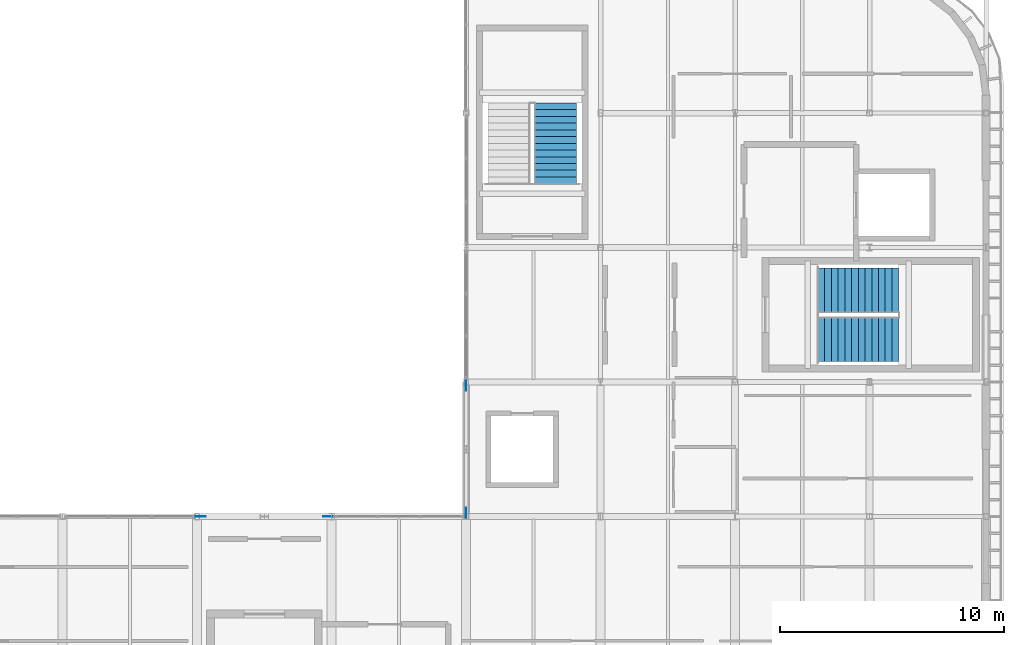
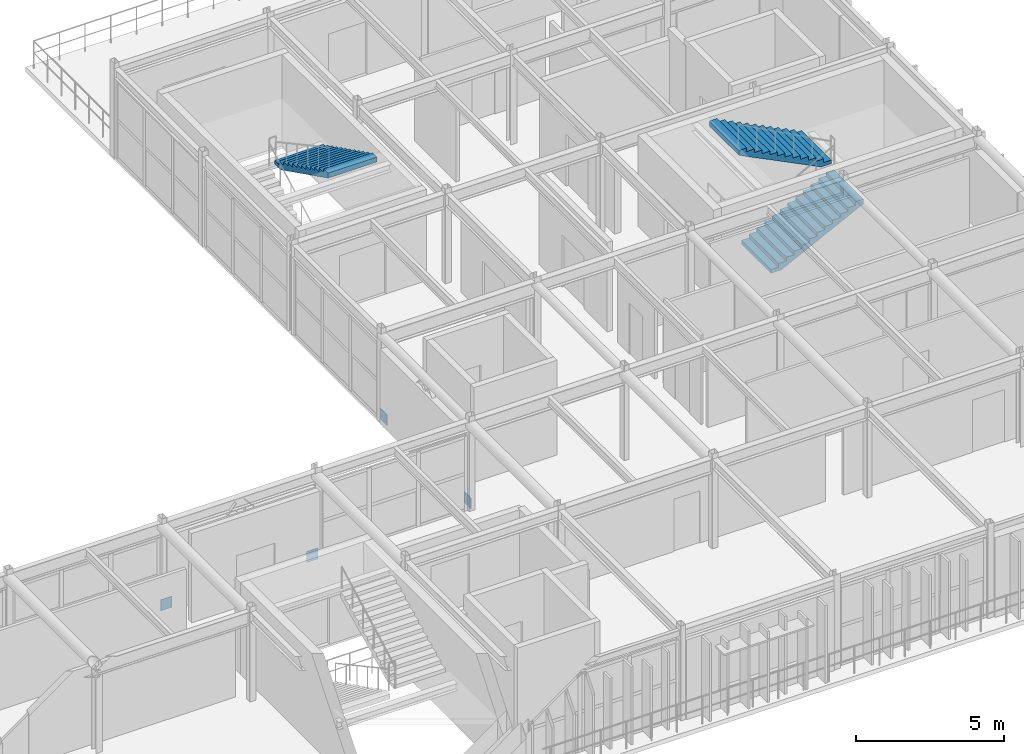
# One storey, part 20 of 27: 4 discrete accessories, 3 stair flights, 2 elements without a shape of their own.
"""IFC4 building model written with IfcOpenShell, lengths in metres."""

from ifc_helpers import new_model, si_unit, direction, frame, origin, origin_2d, place, context, subcontext, project, spatial, polyline, rectangle, outline, extrude, material, layer, layer_set, type_object, element, aggregate, save


model = new_model("IFC4")

# Units and contexts
model_context = context("Model", 3, precision=1e-05, world=origin(), true_north=direction((0.0, 1.0)))
body_context = subcontext(model_context, "Body", "Model", "MODEL_VIEW")
ifc_project = project(units=[si_unit("LENGTHUNIT", "METRE"), si_unit("AREAUNIT", "SQUARE_METRE"), si_unit("VOLUMEUNIT", "CUBIC_METRE"), si_unit("PLANEANGLEUNIT", "RADIAN"), si_unit("MASSUNIT", "GRAM", prefix="KILO")], contexts=[model_context])

# Site, building, storey
site_placement = place(None, origin())
site = spatial("IfcSite", under=ifc_project, at=site_placement, CompositionType="ELEMENT")
building_placement = place(site_placement, origin())
building = spatial("IfcBuilding", under=site, at=building_placement, Name="Varnakota Square Police Headquarters", CompositionType="ELEMENT")
storey_placement = place(building_placement, frame((0.0, 0.0, 26.10009765625)))
storey = spatial("IfcBuildingStorey", under=building, at=storey_placement, Name="L06", CompositionType="ELEMENT", Elevation=26.10009765625)

# Stair, stair flight
ifc_material_1 = material(Name="Concrete M40", Category="concrete")
stair_type_1 = type_object("IfcStairType", Name="STR-DOG-1900", PredefinedType="USERDEFINED", material=ifc_material_1)
stair_1_placement = place(storey_placement, origin())
stair_1 = element("IfcStair", 1, at=stair_1_placement, inside=storey, type_object=stair_type_1, Name="Protected exit stair ST3 (L06)", ObjectType="TWO_RETURN_STAIR", PredefinedType="USERDEFINED")
stair_flight_type_1 = type_object("IfcStairFlightType", Name="SFL-DOG-1900", PredefinedType="STRAIGHT", material=ifc_material_1)
stair_flight_1_placement = place(storey_placement, frame((141.97998046875, 33.45068359375, 1.949951171875), z_axis=(0.0, 0.0, 1.0), x_axis=(0.0, -1.0, 0.0)))
stair_flight_1 = element("IfcStairFlight", 2, at=stair_flight_1_placement, type_object=stair_flight_type_1, Name="ST3-L06 flight 2", NumberOfRisers=13, NumberOfTreads=12, PredefinedType="STRAIGHT", RiserHeight=0.15, TreadLength=0.3, context=body_context, shape_type="SweptSolid", body=[
    extrude(outline(polyline([(0.0, 0.0), (0.0, 0.14990234375), (0.300048828125, 0.14990234375), (0.300048828125, 0.300048828125), (0.60009765625, 0.300048828125), (0.60009765625, 0.449951171875), (0.900146484375, 0.449951171875), (0.900146484375, 0.60009765625), (1.2001953125, 0.60009765625), (1.2001953125, 0.75), (1.500244140625, 0.75), (1.500244140625, 0.89990234375), (1.80029296875, 0.89990234375), (1.80029296875, 1.050048828125), (2.100341796875, 1.050048828125), (2.100341796875, 1.199951171875), (2.400390625, 1.199951171875), (2.400390625, 1.35009765625), (2.700439453125, 1.35009765625), (2.700439453125, 1.5), (3.00048828125, 1.5), (3.00048828125, 1.64990234375), (3.300537109375, 1.64990234375), (3.300537109375, 1.800048828125), (3.6005859375, 1.800048828125), (3.6005859375, 1.949951171875), (3.6005859375, 1.598876953125), (0.40234375, 0.0), (0.0, 0.0)])), frame((0.0, 0.949951171875, 0.0), z_axis=(0.0, -1.0, 0.0), x_axis=(1.0, 0.0, 0.0)), (0.0, 0.0, 1.0), 1.89990234375),
])
aggregate(stair_1, [stair_flight_1])

# Stair, stair flights
stair_type_2 = type_object("IfcStairType", Name="STR-DOG-2000", PredefinedType="USERDEFINED", material=ifc_material_1)
stair_2_placement = place(storey_placement, origin())
stair_2 = element("IfcStair", 3, at=stair_2_placement, inside=storey, type_object=stair_type_2, Name="Protected exit stair ST2 (L06)", ObjectType="TWO_RETURN_STAIR", PredefinedType="USERDEFINED")
stair_flight_type_2 = type_object("IfcStairFlightType", Name="SFL-DOG-2000", PredefinedType="STRAIGHT", material=ifc_material_1)
stair_flight_2_placement = place(storey_placement, frame((153.699951171875, 22.919921875, 0.0), z_axis=(0.0, 0.0, 1.0), x_axis=(1.0, 0.0, 0.0)))
stair_flight_2 = element("IfcStairFlight", 4, at=stair_flight_2_placement, type_object=stair_flight_type_2, Name="ST2-L06 flight 1", NumberOfRisers=13, NumberOfTreads=12, PredefinedType="STRAIGHT", RiserHeight=0.15, TreadLength=0.3, context=body_context, shape_type="SweptSolid", body=[
    extrude(outline(polyline([(0.0, 0.0), (0.0, 0.14990234375), (0.300048828125, 0.14990234375), (0.300048828125, 0.300048828125), (0.60009765625, 0.300048828125), (0.60009765625, 0.449951171875), (0.900146484375, 0.449951171875), (0.900146484375, 0.60009765625), (1.2001953125, 0.60009765625), (1.2001953125, 0.75), (1.500244140625, 0.75), (1.500244140625, 0.89990234375), (1.80029296875, 0.89990234375), (1.80029296875, 1.050048828125), (2.100341796875, 1.050048828125), (2.100341796875, 1.199951171875), (2.400390625, 1.199951171875), (2.400390625, 1.35009765625), (2.700439453125, 1.35009765625), (2.700439453125, 1.5), (3.00048828125, 1.5), (3.00048828125, 1.64990234375), (3.300537109375, 1.64990234375), (3.300537109375, 1.800048828125), (3.6005859375, 1.800048828125), (3.6005859375, 1.949951171875), (3.6005859375, 1.598876953125), (0.40234375, 0.0), (0.0, 0.0)])), frame((0.0, 1.0, 0.0), z_axis=(0.0, -1.0, 0.0), x_axis=(1.0, 0.0, 0.0)), (0.0, 0.0, 1.0), 2.0),
])
stair_flight_3_placement = place(storey_placement, frame((157.300537109375, 25.080078125, 1.949951171875), z_axis=(0.0, 0.0, 1.0), x_axis=(-1.0, 0.0, 0.0)))
stair_flight_3 = element("IfcStairFlight", 5, at=stair_flight_3_placement, type_object=stair_flight_type_2, Name="ST2-L06 flight 2", NumberOfRisers=13, NumberOfTreads=12, PredefinedType="STRAIGHT", RiserHeight=0.15, TreadLength=0.3, context=body_context, shape_type="SweptSolid", body=[
    extrude(outline(polyline([(0.0, 0.0), (0.0, 0.14990234375), (0.300048828125, 0.14990234375), (0.300048828125, 0.300048828125), (0.60009765625, 0.300048828125), (0.60009765625, 0.449951171875), (0.900146484375, 0.449951171875), (0.900146484375, 0.60009765625), (1.2001953125, 0.60009765625), (1.2001953125, 0.75), (1.500244140625, 0.75), (1.500244140625, 0.89990234375), (1.80029296875, 0.89990234375), (1.80029296875, 1.050048828125), (2.100341796875, 1.050048828125), (2.100341796875, 1.199951171875), (2.400390625, 1.199951171875), (2.400390625, 1.35009765625), (2.700439453125, 1.35009765625), (2.700439453125, 1.5), (3.00048828125, 1.5), (3.00048828125, 1.64990234375), (3.300537109375, 1.64990234375), (3.300537109375, 1.800048828125), (3.6005859375, 1.800048828125), (3.6005859375, 1.949951171875), (3.6005859375, 1.598876953125), (0.40234375, 0.0), (0.0, 0.0)])), frame((0.0, 1.0, 0.0), z_axis=(0.0, -1.0, 0.0), x_axis=(1.0, 0.0, 0.0)), (0.0, 0.0, 1.0), 2.0),
])
aggregate(stair_2, [stair_flight_2, stair_flight_3])

# Discrete accessories
ifc_material_2 = material(Name="Steel IS 2062 Grade 350", Category="steel")
ifc_layer = layer(ifc_material_2, 0.64990234375, Name="Steel IS 2062 Grade 350")
ifc_layer_set = layer_set([ifc_layer], Name="Steel IS 2062 Grade 350")
discrete_accessory_type = type_object("IfcDiscreteAccessoryType", Name="ACC-EMB-350", PredefinedType="BRACKET", material=ifc_layer_set)
for number, where, z_axis, x_axis, name in (
    (6, (126.159912109375, 15.0, 0.02490234375), (0.0, 0.0, 1.0), (1.0, 0.0, 0.0), "Brace gusset connection plate BF1 L06 L"),
    (7, (131.840087890625, 15.0, 0.02490234375), (0.0, 0.0, 1.0), (1.0, 0.0, 0.0), "Brace gusset connection plate BF1 L06 R"),
    (8, (138.0, 15.159912109375, 0.02490234375), (0.0, 0.0, 1.0), (0.0, 1.0, 0.0), "Brace gusset connection plate BF2 L06 L"),
    (9, (138.0, 20.840087890625, 0.02490234375), (0.0, 0.0, 1.0), (0.0, 1.0, 0.0), "Brace gusset connection plate BF2 L06 R"),
):
    element("IfcDiscreteAccessory", number, at=place(storey_placement, frame(where, z_axis=z_axis, x_axis=x_axis)), inside=storey, type_object=discrete_accessory_type, Name=name, PredefinedType="BRACKET", context=body_context, shape_type="SweptSolid", body=[
        extrude(rectangle(XDim=0.43994140625, YDim=0.02001953125, at=origin_2d()), origin(), (0.0, 0.0, 1.0), 0.449951171875),
    ])

save(model, "model.ifc")
